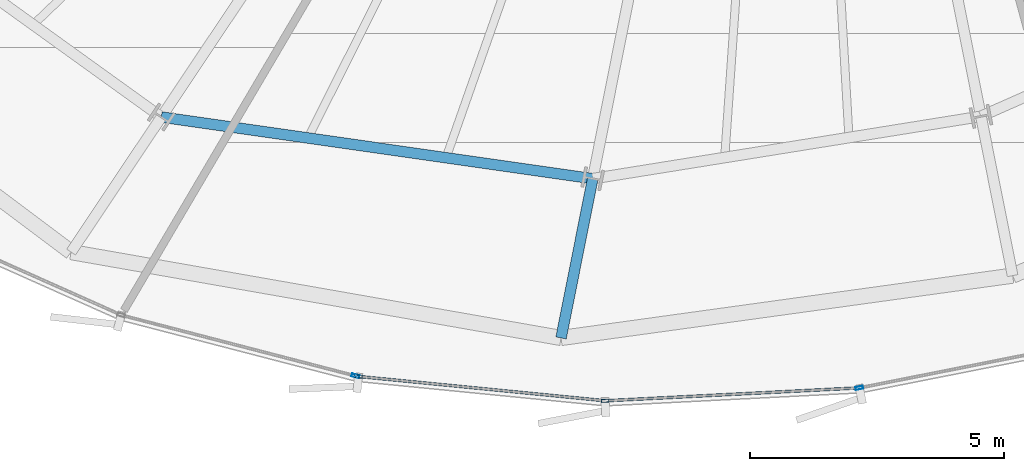
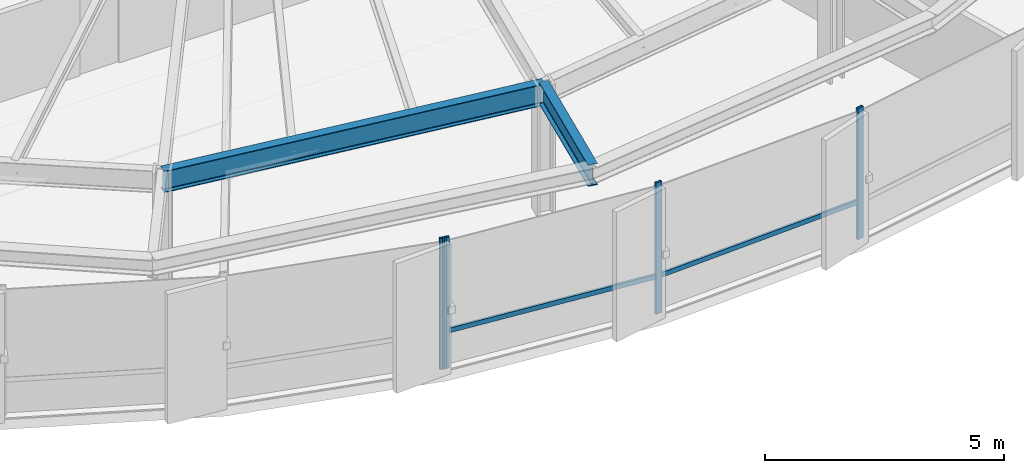
# One storey, part 5 of 35: 6 members, 2 beams, 2 elements without a shape of their own.
"""IFC4 building model written with IfcOpenShell, lengths in metres."""

from ifc_helpers import new_model, si_unit, direction, frame, origin, origin_2d, place, context, subcontext, project, spatial, hollow_rectangle, i_section, extrude, source, transform, mapped, material, layer, layer_set, material_profile, profile_set, type_object, element, aggregate, save


model = new_model("IFC4")

# Units and contexts
model_context = context("Model", 3, precision=1e-05, world=origin(), true_north=direction((0.0, 1.0)))
body_context = subcontext(model_context, "Body", "Model", "MODEL_VIEW")
ifc_project = project(units=[si_unit("LENGTHUNIT", "METRE"), si_unit("AREAUNIT", "SQUARE_METRE"), si_unit("VOLUMEUNIT", "CUBIC_METRE"), si_unit("PLANEANGLEUNIT", "RADIAN"), si_unit("MASSUNIT", "GRAM", prefix="KILO"), si_unit("THERMODYNAMICTEMPERATUREUNIT", "KELVIN")], contexts=[model_context])

# Site, building, storey
site_placement = place(None, origin())
site = spatial("IfcSite", under=ifc_project, at=site_placement, CompositionType="ELEMENT")
building_placement = place(site_placement, origin())
building = spatial("IfcBuilding", under=site, at=building_placement, Name="Kethvar Cultural Tower", CompositionType="ELEMENT")
storey_placement = place(building_placement, frame((0.0, 0.0, 96.39990234375)))
storey = spatial("IfcBuildingStorey", under=building, at=storey_placement, Name="L23", CompositionType="ELEMENT", Elevation=96.39990234375)

# Beams
ifc_material_1 = material(Name="Steel S355J2", Category="steel")
ifc_material_profile_1 = material_profile(ifc_material_1, i_section(OverallWidth=0.2099609375, OverallDepth=0.550048828125, WebThickness=0.010986328125, FlangeThickness=0.01708984375, FilletRadius=0.02392578125, at=origin_2d()), Name="Steel S355J2 — IPE550")
ifc_profile_set_1 = profile_set([ifc_material_profile_1], Name="Steel S355J2 — IPE550")
beam_type = type_object("IfcBeamType", Name="BM-IPE550", PredefinedType="BEAM", material=ifc_profile_set_1)
shared_shape_1 = source(origin(), body_context, "Body", "SweptSolid", [
    extrude(i_section(OverallWidth=0.2099609375, OverallDepth=0.550048828125, WebThickness=0.010986328125, FlangeThickness=0.01708984375, FilletRadius=0.02392578125, at=origin_2d()), origin(), (0.0, 0.0, 1.0), 3.2001953125),
])
beam_1_placement = place(storey_placement, frame((42.852294921875, 7.95361328125, 3.072998046875), z_axis=(-0.195074368086, -0.980788453702, 0.0), x_axis=(0.980788453702, -0.195074368086, 0.0)))
element("IfcBeam", 1, at=beam_1_placement, inside=storey, type_object=beam_type, Name="L23 Perimeter Cantilever Beam RC-12", PredefinedType="BEAM", context=body_context, shape_type="MappedRepresentation", body=[
    mapped(shared_shape_1, transform((0.0, 0.0, 0.0), scale=1.0)),
])
shared_shape_2 = source(origin(), body_context, "Body", "SweptSolid", [
    extrude(i_section(OverallWidth=0.2099609375, OverallDepth=0.550048828125, WebThickness=0.010986328125, FlangeThickness=0.01708984375, FilletRadius=0.02392578125, at=origin_2d()), origin(), (0.0, 0.0, 1.0), 8.587890625),
])
beam_2_placement = place(storey_placement, frame((34.350830078125, 9.16845703125, 3.072998046875), z_axis=(0.989943807123, -0.141461156288, 0.0), x_axis=(0.141461156288, 0.989943807123, 0.0)))
element("IfcBeam", 2, at=beam_2_placement, inside=storey, type_object=beam_type, Name="L23 Column Ring Tie Beam CR-11", PredefinedType="BEAM", context=body_context, shape_type="MappedRepresentation", body=[
    mapped(shared_shape_2, transform((0.0, 0.0, 0.0), scale=1.0)),
])

# Curtain wall, member
ifc_material_2 = material(Name="Aluminium 6063-T6", Category="aluminium")
ifc_layer = layer(ifc_material_2, 0.179931640625, Name="Aluminium 6063-T6", Category="aluminium")
ifc_layer_set = layer_set([ifc_layer], Name="Aluminium 6063-T6 (180 mm)")
curtain_wall_type = type_object("IfcCurtainWallType", Name="CW-SYS-03-Z2", PredefinedType="NOTDEFINED", material=ifc_layer_set)
curtain_wall_1_placement = place(storey_placement, origin())
curtain_wall_1 = element("IfcCurtainWall", 3, at=curtain_wall_1_placement, inside=storey, type_object=curtain_wall_type, Name="L23 Curtain Wall Run 04", PredefinedType="NOTDEFINED")
ifc_material_profile_2 = material_profile(ifc_material_2, hollow_rectangle(XDim=0.06005859375, YDim=0.14990234375, WallThickness=0.0048828125, at=origin_2d()), Name="Aluminium 6063-T6 — RHS150x60x5")
ifc_profile_set_2 = profile_set([ifc_material_profile_2], Name="Aluminium 6063-T6 — RHS150x60x5")
member_type_1 = type_object("IfcMemberType", Name="CW-SYS-03-Z2-MUL", PredefinedType="MULLION", material=ifc_profile_set_2)
shared_shape_3 = source(origin(), body_context, "Body", "SweptSolid", [
    extrude(hollow_rectangle(XDim=0.06005859375, YDim=0.14990234375, WallThickness=0.0048828125, at=origin_2d()), origin(), (0.0, 0.0, 1.0), 3.35009765625),
])
member_1_placement = place(storey_placement, frame((38.1767578125, 4.067138671875, 0.0), z_axis=(0.0, 0.0, 1.0), x_axis=(0.251326136695, 0.967902460486, 0.0)))
member_1 = element("IfcMember", 4, at=member_1_placement, type_object=member_type_1, Name="CW-L23-R04 Mullion 7", PredefinedType="MULLION", context=body_context, shape_type="MappedRepresentation", body=[
    mapped(shared_shape_3, transform((0.0, 0.0, 0.0), scale=1.0)),
])
aggregate(curtain_wall_1, [member_1])

# Curtain wall, members
curtain_wall_2_placement = place(storey_placement, origin())
curtain_wall_2 = element("IfcCurtainWall", 5, at=curtain_wall_2_placement, inside=storey, type_object=curtain_wall_type, Name="L23 Curtain Wall Run 05", PredefinedType="NOTDEFINED")
member_2_placement = place(storey_placement, frame((38.235595703125, 4.056640625, 0.0), z_axis=(0.0, 0.0, 1.0), x_axis=(0.09794766309, 0.995191567134, 0.0)))
member_2 = element("IfcMember", 6, at=member_2_placement, type_object=member_type_1, Name="CW-L23-R05 Mullion 1", PredefinedType="MULLION", context=body_context, shape_type="MappedRepresentation", body=[
    mapped(shared_shape_3, transform((0.0, 0.0, 0.0), scale=1.0)),
])
member_3_placement = place(storey_placement, frame((43.095703125, 3.5771484375, 0.0), z_axis=(0.0, 0.0, 1.0), x_axis=(-0.050784679495, 0.998709625631, 0.0)))
member_3 = element("IfcMember", 7, at=member_3_placement, type_object=member_type_1, Name="CW-L23-R05 Mullion 2", PredefinedType="MULLION", context=body_context, shape_type="MappedRepresentation", body=[
    mapped(shared_shape_3, transform((0.0, 0.0, 0.0), scale=1.0)),
])
member_4_placement = place(storey_placement, frame((48.107666015625, 3.830810546875, 0.0), z_axis=(0.0, 0.0, 1.0), x_axis=(-0.194182988262, 0.980965324091, 0.0)))
member_4 = element("IfcMember", 8, at=member_4_placement, type_object=member_type_1, Name="CW-L23-R05 Mullion 3", PredefinedType="MULLION", context=body_context, shape_type="MappedRepresentation", body=[
    mapped(shared_shape_3, transform((0.0, 0.0, 0.0), scale=1.0)),
])
ifc_material_profile_3 = material_profile(ifc_material_2, hollow_rectangle(XDim=0.054931640625, YDim=0.1201171875, WallThickness=0.00390625, at=origin_2d()), Name="Aluminium 6063-T6 — RHS120x55x4")
ifc_profile_set_3 = profile_set([ifc_material_profile_3], Name="Aluminium 6063-T6 — RHS120x55x4")
member_type_2 = type_object("IfcMemberType", Name="CW-SYS-03-Z2-TRN", PredefinedType="USERDEFINED", material=ifc_profile_set_3)
shared_shape_4 = source(origin(), body_context, "Body", "SweptSolid", [
    extrude(hollow_rectangle(XDim=0.054931640625, YDim=0.1201171875, WallThickness=0.00390625, at=origin_2d()), origin(), (0.0, 0.0, 1.0), 4.948486328125),
])
member_5_placement = place(storey_placement, frame((43.138916015625, 3.5791015625, 0.9501953125), z_axis=(0.998708030011, 0.050816048556, 0.0), x_axis=(-0.050816048556, 0.998708030011, 0.0)))
member_5 = element("IfcMember", 9, at=member_5_placement, type_object=member_type_2, Name="CW-L23-R05 Transom 2", ObjectType="TRANSOM", PredefinedType="USERDEFINED", context=body_context, shape_type="MappedRepresentation", body=[
    mapped(shared_shape_4, transform((0.0, 0.0, 0.0), scale=1.0)),
])
shared_shape_5 = source(origin(), body_context, "Body", "SweptSolid", [
    extrude(hollow_rectangle(XDim=0.054931640625, YDim=0.1201171875, WallThickness=0.00390625, at=origin_2d()), origin(), (0.0, 0.0, 1.0), 4.853271484375),
])
member_6_placement = place(storey_placement, frame((38.239990234375, 4.05615234375, 0.9501953125), z_axis=(0.99519186591, -0.097944627353, 0.0), x_axis=(0.097944627353, 0.99519186591, 0.0)))
member_6 = element("IfcMember", 10, at=member_6_placement, type_object=member_type_2, Name="CW-L23-R05 Transom 1", ObjectType="TRANSOM", PredefinedType="USERDEFINED", context=body_context, shape_type="MappedRepresentation", body=[
    mapped(shared_shape_5, transform((0.0, 0.0, 0.0), scale=1.0)),
])
aggregate(curtain_wall_2, [member_2, member_3, member_4, member_6, member_5])

save(model, "model.ifc")
